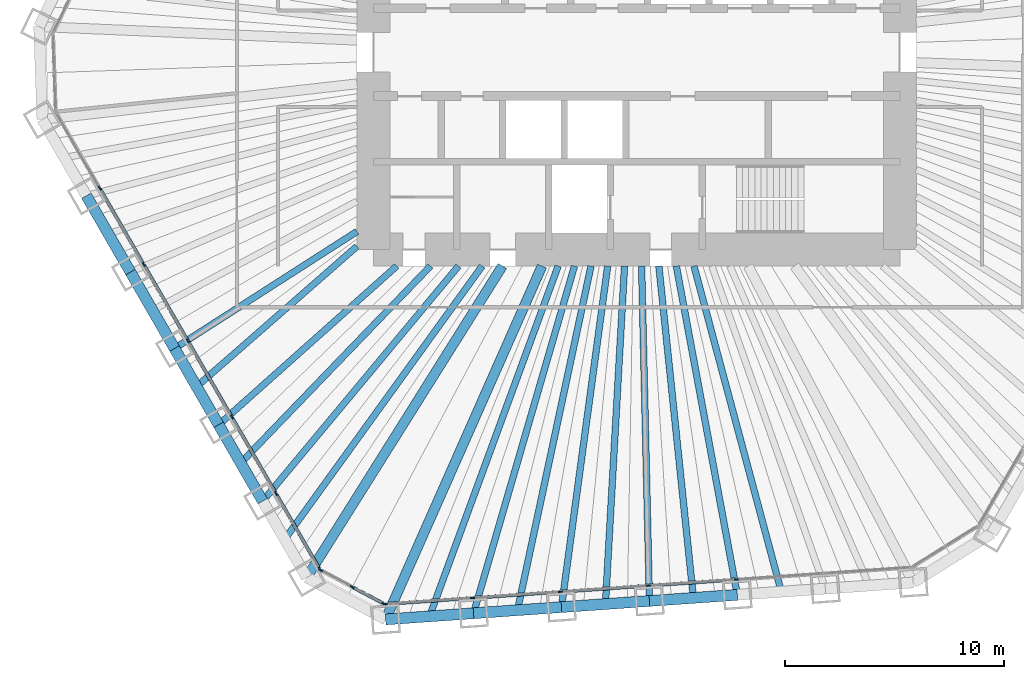
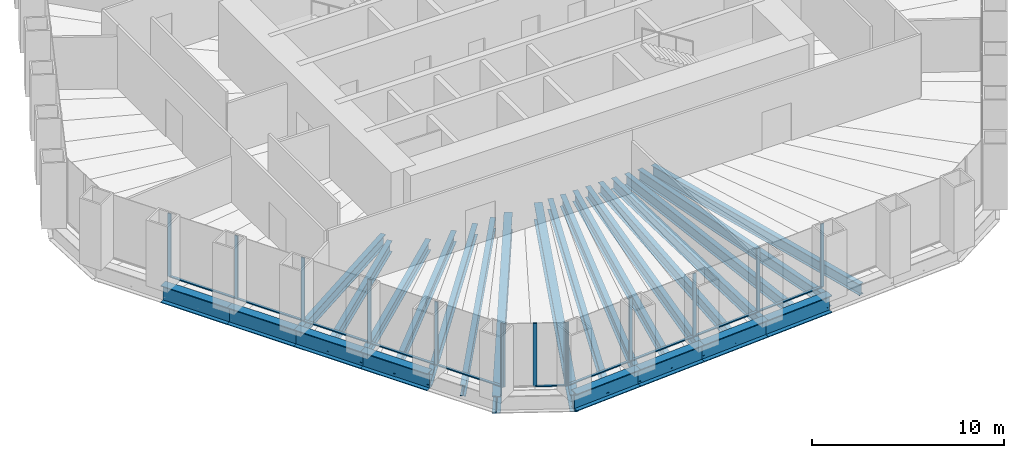
# One storey, part 2 of 13: 25 beams, 24 members, 3 elements without a shape of their own.
"""IFC4 building model written with IfcOpenShell, lengths in metres."""

import ifcopenshell
import ifcopenshell.guid

model = None  # the IFC model being written
_history = None  # IfcOwnerHistory: only IFC2X3 demands one
_inside = {}  # id of a spatial element -> (the spatial element, [elements in it])
_under = {}  # id of a project, library or spatial element -> (it, [spatial elements below it])
_declared = {}  # id of a project -> (the project, [libraries it declares])
_typed = {}  # id of a type object -> (the type object, [elements of that type])
_made_of = {}  # id of a material, layer set ... -> (it, [elements and type objects made of it])


def new_model(schema):
    """Start an empty IFC model of exactly this schema.

    Asked for "IFC4X3", IfcOpenShell would pick the latest addendum, in which some entities
    have other attributes; the version numbers below select the first issue.
    IFC2X3 requires an IfcOwnerHistory on every rooted entity: one is made here for all.
    """
    global model, _history
    if schema == "IFC4X3":
        model = ifcopenshell.file(schema_version=(4, 3, 0, 0))
    else:
        model = ifcopenshell.file(schema=schema)
    _inside.clear()
    _under.clear()
    _declared.clear()
    _typed.clear()
    _made_of.clear()
    _history = None
    if model.schema == "IFC2X3":
        org = make("IfcOrganization", Name="unknown")
        user = make(
            "IfcPersonAndOrganization",
            ThePerson=make("IfcPerson", FamilyName="unknown"),
            TheOrganization=org,
        )
        app = make(
            "IfcApplication",
            ApplicationDeveloper=org,
            Version="unknown",
            ApplicationFullName="unknown",
            ApplicationIdentifier="unknown",
        )
        _history = make(
            "IfcOwnerHistory",
            OwningUser=user,
            OwningApplication=app,
            ChangeAction="ADDED",
            CreationDate=0,
        )
    return model


def make(cls, **values):
    """One entity of the class cls with the attributes given. An attribute that is None is left unset."""
    return model.create_entity(
        cls, **{name: value for name, value in values.items() if value is not None}
    )


def rooted(cls, **values):
    """An entity with a GlobalId (a new one), such as an element, a storey or a relation."""
    return make(cls, GlobalId=ifcopenshell.guid.new(), OwnerHistory=_history, **values)


def si_unit(unit_type, name, prefix=None):
    """IfcSIUnit, for example si_unit("LENGTHUNIT", "METRE", prefix="MILLI")."""
    return make("IfcSIUnit", UnitType=unit_type, Prefix=prefix, Name=name)


def assignment(units):
    """IfcUnitAssignment: the units of a project."""
    return None if units is None else make("IfcUnitAssignment", Units=units)


def point(xyz):
    """IfcCartesianPoint."""
    return None if xyz is None else make("IfcCartesianPoint", Coordinates=xyz)


def direction(xyz):
    """IfcDirection."""
    return None if xyz is None else make("IfcDirection", DirectionRatios=xyz)


def frame(location, z_axis=None, x_axis=None):
    """IfcAxis2Placement3D, a coordinate frame: its origin and axes. An axis left out is left unset."""
    return make(
        "IfcAxis2Placement3D",
        Location=point(location),
        Axis=direction(z_axis),
        RefDirection=direction(x_axis),
    )


def frame_2d(location, x_axis=None):
    """IfcAxis2Placement2D, a coordinate frame in the plane: its origin and x axis."""
    return make(
        "IfcAxis2Placement2D", Location=point(location), RefDirection=direction(x_axis)
    )


def origin():
    """The frame at (0, 0, 0) with its axes left unset."""
    return frame((0.0, 0.0, 0.0))


def origin_2d():
    """The frame at (0, 0) in the plane with its x axis left unset."""
    return frame_2d((0.0, 0.0))


def place(relative_to, where):
    """IfcLocalPlacement: puts the frame where relative to a parent placement (None: the world)."""
    return make(
        "IfcLocalPlacement", PlacementRelTo=relative_to, RelativePlacement=where
    )


def context(
    kind, dimensions, precision=None, world=None, true_north=None, identifier=None
):
    """IfcGeometricRepresentationContext, for example the 3D "Model" context."""
    return make(
        "IfcGeometricRepresentationContext",
        ContextIdentifier=identifier,
        ContextType=kind,
        CoordinateSpaceDimension=dimensions,
        Precision=precision,
        WorldCoordinateSystem=world,
        TrueNorth=true_north,
    )


def subcontext(parent, identifier, kind, view, scale=None):
    """IfcGeometricRepresentationSubContext, for example "Body" below "Model"."""
    return make(
        "IfcGeometricRepresentationSubContext",
        ContextIdentifier=identifier,
        ContextType=kind,
        ParentContext=parent,
        TargetScale=scale,
        TargetView=view,
    )


def project(units=None, contexts=None):
    """IfcProject with its units and contexts."""
    return rooted(
        "IfcProject",
        Name="project",
        RepresentationContexts=contexts,
        UnitsInContext=assignment(units),
    )


def spatial(cls, under=None, at=None, **own):
    """A site, building, storey or space (cls), placed at a placement, below another one or the project."""
    s = rooted(cls, ObjectPlacement=at, **own)
    if under is not None:
        _under.setdefault(under.id(), (under, []))[1].append(s)
    return s


def profile(cls, at=None, kind="AREA", **sizes):
    """A parametric profile (cls). Its sizes go by their IFC names, for example OverallWidth=200.0."""
    return make(cls, ProfileType=kind, Position=at, **sizes)


def rectangle(**sizes):
    """IfcRectangleProfileDef."""
    return profile("IfcRectangleProfileDef", **sizes)


def i_section(**sizes):
    """IfcIShapeProfileDef."""
    return profile("IfcIShapeProfileDef", **sizes)


def extrude(swept, where, along, depth):
    """IfcExtrudedAreaSolid: the profile swept, set in the frame where, extruded along a direction by depth."""
    return make(
        "IfcExtrudedAreaSolid",
        SweptArea=swept,
        Position=where,
        ExtrudedDirection=direction(along),
        Depth=depth,
    )


def shape(context_of_items, identifier, shape_type, items):
    """IfcShapeRepresentation: the items that make up one representation, for example the "Body"."""
    return make(
        "IfcShapeRepresentation",
        ContextOfItems=context_of_items,
        RepresentationIdentifier=identifier,
        RepresentationType=shape_type,
        Items=items,
    )


def material(Name=None, Category=None):
    """IfcMaterial."""
    return make("IfcMaterial", Name=Name, Category=Category)


def material_profile(
    of_material, cross_section, Name=None, Category=None, Priority=None
):
    """IfcMaterialProfile: a cross section and its material."""
    return make(
        "IfcMaterialProfile",
        Name=Name,
        Material=of_material,
        Profile=cross_section,
        Priority=Priority,
        Category=Category,
    )


def profile_set(profiles, Name=None, composite=None):
    """IfcMaterialProfileSet."""
    return make(
        "IfcMaterialProfileSet",
        Name=Name,
        MaterialProfiles=profiles,
        CompositeProfile=composite,
    )


def made_of(thing, what):
    """Note that an element or type object is made of a material, layer set ...; save() writes the relation."""
    if what is not None:
        _made_of.setdefault(what.id(), (what, []))[1].append(thing)
    return thing


def type_object(cls, material=None, **own):
    """A type object (cls), such as IfcWallType, which elements share."""
    return made_of(rooted(cls, **own), material)


def element(
    cls,
    number,
    at=None,
    inside=None,
    cuts=None,
    type_object=None,
    material=None,
    context=None,
    identifier="Body",
    shape_type=None,
    held_by="IfcProductDefinitionShape",
    body=None,
    shapes=None,
    **own,
):
    """One element of the class cls, such as IfcWall. Its Tag is "e" and its number.

    at: its placement. inside: the storey or other place that contains it. cuts: it is an
    opening in that element (IfcRelVoidsElement). A single representation is given by context,
    identifier, shape_type and body (its items); several are given by shapes. held_by: the class
    of the entity that holds the representations. save() writes the other relations.
    """
    e = rooted(cls, Tag="e%d" % number, ObjectPlacement=at, **own)
    if body is not None:
        shapes = [shape(context, identifier, shape_type, body)]
    if shapes is not None:
        e.Representation = make(held_by, Representations=shapes)
    if inside is not None:
        _inside.setdefault(inside.id(), (inside, []))[1].append(e)
    if cuts is not None:
        rooted(
            "IfcRelVoidsElement", RelatingBuildingElement=cuts, RelatedOpeningElement=e
        )
    if type_object is not None:
        _typed.setdefault(type_object.id(), (type_object, []))[1].append(e)
    return made_of(e, material)


def aggregate(whole, parts):
    """IfcRelAggregates: a whole, such as a stair, and the parts it consists of."""
    return rooted("IfcRelAggregates", RelatingObject=whole, RelatedObjects=parts)


def save(model, path):
    """Write the relations noted so far, then the file.

    IfcRelAggregates (storeys below a building ...), IfcRelContainedInSpatialStructure (elements
    in a storey), IfcRelDefinesByType, IfcRelAssociatesMaterial and IfcRelDeclares: one each for
    every whole, place, type object, material and project.
    """
    for whole, parts in _under.values():
        aggregate(whole, parts)
    for where, things in _inside.values():
        rooted(
            "IfcRelContainedInSpatialStructure",
            RelatedElements=things,
            RelatingStructure=where,
        )
    for kind, things in _typed.values():
        rooted("IfcRelDefinesByType", RelatedObjects=things, RelatingType=kind)
    for what, things in _made_of.values():
        rooted("IfcRelAssociatesMaterial", RelatedObjects=things, RelatingMaterial=what)
    for by, libraries in _declared.values():
        rooted("IfcRelDeclares", RelatingContext=by, RelatedDefinitions=libraries)
    model.write(path)


model = new_model("IFC4")

# Units and contexts
model_context = context("Model", 3, precision=1e-05, world=origin(), true_north=direction((0.0, 1.0)))
body_context = subcontext(model_context, "Body", "Model", "MODEL_VIEW")
ifc_project = project(units=[si_unit("LENGTHUNIT", "METRE"), si_unit("AREAUNIT", "SQUARE_METRE"), si_unit("VOLUMEUNIT", "CUBIC_METRE"), si_unit("PLANEANGLEUNIT", "RADIAN"), si_unit("MASSUNIT", "GRAM", prefix="KILO")], contexts=[model_context])

# Site, building, storey
site_placement = place(None, origin())
site = spatial("IfcSite", under=ifc_project, at=site_placement, CompositionType="ELEMENT")
building_placement = place(site_placement, origin())
building = spatial("IfcBuilding", under=site, at=building_placement, Name="Qingtian Harvest Tower", CompositionType="ELEMENT")
storey_placement = place(building_placement, frame((0.0, 0.0, 145.0)))
storey = spatial("IfcBuildingStorey", under=building, at=storey_placement, Name="L30", CompositionType="ELEMENT", Elevation=145.0)

# Beams
ifc_material_1 = material(Name="Steel SM570MC", Category="steel")
ifc_material_profile_1 = material_profile(ifc_material_1, i_section(OverallWidth=0.449951171875, OverallDepth=1.10009765625, WebThickness=0.02197265625, FlangeThickness=0.044921875, at=origin_2d()), Name="H1100x450x22x45")
ifc_profile_set_1 = profile_set([ifc_material_profile_1], Name="Steel SM570MC")
beam_type_1 = type_object("IfcBeamType", Name="Corner floor beam FB8 H1100x450x22x45", PredefinedType="BEAM", material=ifc_profile_set_1)
beam_1_placement = place(storey_placement, frame((-11.445556640625, -25.861328125, -0.719970703125), z_axis=(0.404705702755, 0.914446988161, 0.0), x_axis=(-0.914446988161, 0.404705702755, 0.0)))
element("IfcBeam", 1, at=beam_1_placement, inside=storey, type_object=beam_type_1, Name="Floor beam FB8 S6", PredefinedType="BEAM", context=body_context, shape_type="SweptSolid", body=[
    extrude(i_section(OverallWidth=0.449951171875, OverallDepth=1.10009765625, WebThickness=0.02197265625, FlangeThickness=0.044921875, at=origin_2d()), origin(), (0.0, 0.0, 1.0), 17.61865234375),
])
beam_2_placement = place(storey_placement, frame((-15.039794921875, -23.950439453125, -0.719970703125), z_axis=(0.531797274443, 0.846871689747, 0.0), x_axis=(-0.846871689747, 0.531797274443, 0.0)))
element("IfcBeam", 2, at=beam_2_placement, inside=storey, type_object=beam_type_1, Name="Floor beam FB8 SW0", PredefinedType="BEAM", context=body_context, shape_type="SweptSolid", body=[
    extrude(i_section(OverallWidth=0.449951171875, OverallDepth=1.10009765625, WebThickness=0.02197265625, FlangeThickness=0.044921875, at=origin_2d()), origin(), (0.0, 0.0, 1.0), 16.76806640625),
])
ifc_material_2 = material(Name="Steel SN490B", Category="steel")
ifc_material_profile_2 = material_profile(ifc_material_2, i_section(OverallWidth=0.300048828125, OverallDepth=0.75, WebThickness=0.013916015625, FlangeThickness=0.02490234375, at=origin_2d()), Name="H750x300x14x25")
ifc_profile_set_2 = profile_set([ifc_material_profile_2], Name="Steel SN490B")
beam_type_2 = type_object("IfcBeamType", Name="Floor beam FB12 H750x300x14x25", PredefinedType="BEAM", material=ifc_profile_set_2)
beam_3_placement = place(storey_placement, frame((-7.436279296875, -25.5810546875, -0.544921875), z_axis=(0.279142362954, 0.960249728562, 0.0), x_axis=(-0.960249728562, 0.279142362954, 0.0)))
element("IfcBeam", 3, at=beam_3_placement, inside=storey, type_object=beam_type_2, Name="Floor beam FB12 S5", PredefinedType="BEAM", context=body_context, shape_type="SweptSolid", body=[
    extrude(i_section(OverallWidth=0.300048828125, OverallDepth=0.75, WebThickness=0.013916015625, FlangeThickness=0.02490234375, at=origin_2d()), origin(), (0.0, 0.0, 1.0), 16.486328125),
])
ifc_material_3 = material(Name="Steel SN490B", Category="steel")
ifc_material_profile_3 = material_profile(ifc_material_3, i_section(OverallWidth=0.300048828125, OverallDepth=0.699951171875, WebThickness=0.012939453125, FlangeThickness=0.02392578125, at=origin_2d()), Name="H700x300x13x24")
ifc_profile_set_3 = profile_set([ifc_material_profile_3], Name="Steel SN490B")
beam_type_3 = type_object("IfcBeamType", Name="Floor beam FB2 H700x300x13x24", PredefinedType="BEAM", material=ifc_profile_set_3)
beam_4_placement = place(storey_placement, frame((4.591552734375, -24.739990234375, -0.52001953125), z_axis=(-0.182473442032, 0.983210782565, 0.0), x_axis=(-0.983210782565, -0.182473442032, 0.0)))
element("IfcBeam", 4, at=beam_4_placement, inside=storey, type_object=beam_type_3, Name="Floor beam FB2 S2", PredefinedType="BEAM", context=body_context, shape_type="SweptSolid", body=[
    extrude(i_section(OverallWidth=0.300048828125, OverallDepth=0.699951171875, WebThickness=0.012939453125, FlangeThickness=0.02392578125, at=origin_2d()), origin(), (0.0, 0.0, 1.0), 15.245849609375),
])
beam_5_placement = place(storey_placement, frame((0.582275390625, -25.020263671875, -0.52001953125), z_axis=(-0.023272189962, 0.999729165912, 0.0), x_axis=(-0.999729165912, -0.023272189962, 0.0)))
element("IfcBeam", 5, at=beam_5_placement, inside=storey, type_object=beam_type_3, Name="Floor beam FB2 S3", PredefinedType="BEAM", context=body_context, shape_type="SweptSolid", body=[
    extrude(i_section(OverallWidth=0.300048828125, OverallDepth=0.699951171875, WebThickness=0.012939453125, FlangeThickness=0.02392578125, at=origin_2d()), origin(), (0.0, 0.0, 1.0), 15.2744140625),
])
beam_6_placement = place(storey_placement, frame((-3.427001953125, -25.30078125, -0.52001953125), z_axis=(0.134230066005, 0.990950195207, 0.0), x_axis=(-0.990950195207, 0.134230066005, 0.0)))
element("IfcBeam", 6, at=beam_6_placement, inside=storey, type_object=beam_type_3, Name="Floor beam FB2 S4", PredefinedType="BEAM", context=body_context, shape_type="SweptSolid", body=[
    extrude(i_section(OverallWidth=0.300048828125, OverallDepth=0.699951171875, WebThickness=0.012939453125, FlangeThickness=0.02392578125, at=origin_2d()), origin(), (0.0, 0.0, 1.0), 15.69287109375),
])
beam_7_placement = place(storey_placement, frame((-17.04931640625, -20.4697265625, -0.52001953125), z_axis=(0.639988150605, 0.768384778015, 0.0), x_axis=(-0.768384778015, 0.639988150605, 0.0)))
element("IfcBeam", 7, at=beam_7_placement, inside=storey, type_object=beam_type_3, Name="Floor beam FB2 SW1", PredefinedType="BEAM", context=body_context, shape_type="SweptSolid", body=[
    extrude(i_section(OverallWidth=0.300048828125, OverallDepth=0.699951171875, WebThickness=0.012939453125, FlangeThickness=0.02392578125, at=origin_2d()), origin(), (0.0, 0.0, 1.0), 13.950927734375),
])
beam_8_placement = place(storey_placement, frame((-19.058837890625, -16.989013671875, -0.52001953125), z_axis=(0.746483707908, 0.665403692376, 0.0), x_axis=(-0.665403692376, 0.746483707908, 0.0)))
element("IfcBeam", 8, at=beam_8_placement, inside=storey, type_object=beam_type_3, Name="Floor beam FB2 SW2", PredefinedType="BEAM", context=body_context, shape_type="SweptSolid", body=[
    extrude(i_section(OverallWidth=0.300048828125, OverallDepth=0.699951171875, WebThickness=0.012939453125, FlangeThickness=0.02392578125, at=origin_2d()), origin(), (0.0, 0.0, 1.0), 10.879150390625),
])
beam_9_placement = place(storey_placement, frame((-21.068359375, -13.508544921875, -0.52001953125), z_axis=(0.841823295753, 0.539753220211, 0.0), x_axis=(-0.539753220211, 0.841823295753, 0.0)))
element("IfcBeam", 9, at=beam_9_placement, inside=storey, type_object=beam_type_3, Name="Floor beam FB2 SW3", PredefinedType="BEAM", context=body_context, shape_type="SweptSolid", body=[
    extrude(i_section(OverallWidth=0.300048828125, OverallDepth=0.699951171875, WebThickness=0.012939453125, FlangeThickness=0.02392578125, at=origin_2d()), origin(), (0.0, 0.0, 1.0), 9.88134765625),
])
ifc_material_4 = material(Name="Steel SN490B", Category="steel")
ifc_material_profile_4 = material_profile(ifc_material_4, i_section(OverallWidth=0.300048828125, OverallDepth=0.699951171875, WebThickness=0.012939453125, FlangeThickness=0.02392578125, at=origin_2d()), Name="H700x300x13x24")
ifc_profile_set_4 = profile_set([ifc_material_profile_4], Name="Steel SN490B")
beam_type_4 = type_object("IfcBeamType", Name="Floor joist J2 H700x300x13x24", PredefinedType="JOIST", material=ifc_profile_set_4)
beam_10_placement = place(storey_placement, frame((6.59619140625, -24.599853515625, -0.52001953125), z_axis=(-0.258996688759, 0.965878209306, 0.0), x_axis=(-0.965878209306, -0.258996688759, 0.0)))
element("IfcBeam", 10, at=beam_10_placement, inside=storey, type_object=beam_type_4, Name="Floor joist J2 S1", PredefinedType="JOIST", context=body_context, shape_type="SweptSolid", body=[
    extrude(i_section(OverallWidth=0.300048828125, OverallDepth=0.699951171875, WebThickness=0.012939453125, FlangeThickness=0.02392578125, at=origin_2d()), origin(), (0.0, 0.0, 1.0), 15.37451171875),
])
beam_11_placement = place(storey_placement, frame((2.5869140625, -24.880126953125, -0.52001953125), z_axis=(-0.103423163361, 0.994637446148, 0.0), x_axis=(-0.994637446148, -0.103423163361, 0.0)))
element("IfcBeam", 11, at=beam_11_placement, inside=storey, type_object=beam_type_4, Name="Floor joist J2 S2", PredefinedType="JOIST", context=body_context, shape_type="SweptSolid", body=[
    extrude(i_section(OverallWidth=0.300048828125, OverallDepth=0.699951171875, WebThickness=0.012939453125, FlangeThickness=0.02392578125, at=origin_2d()), origin(), (0.0, 0.0, 1.0), 15.211669921875),
])
beam_12_placement = place(storey_placement, frame((-1.42236328125, -25.160400390625, -0.52001953125), z_axis=(0.05643626267, 0.998406204035, 0.0), x_axis=(-0.998406204035, 0.05643626267, 0.0)))
element("IfcBeam", 12, at=beam_12_placement, inside=storey, type_object=beam_type_4, Name="Floor joist J2 S3", PredefinedType="JOIST", context=body_context, shape_type="SweptSolid", body=[
    extrude(i_section(OverallWidth=0.300048828125, OverallDepth=0.699951171875, WebThickness=0.012939453125, FlangeThickness=0.02392578125, at=origin_2d()), origin(), (0.0, 0.0, 1.0), 15.43505859375),
])
beam_13_placement = place(storey_placement, frame((-5.431640625, -25.44091796875, -0.52001953125), z_axis=(0.208799533611, 0.977958462699, 0.0), x_axis=(-0.977958462699, 0.208799533611, 0.0)))
element("IfcBeam", 13, at=beam_13_placement, inside=storey, type_object=beam_type_4, Name="Floor joist J2 S4", PredefinedType="JOIST", context=body_context, shape_type="SweptSolid", body=[
    extrude(i_section(OverallWidth=0.300048828125, OverallDepth=0.699951171875, WebThickness=0.012939453125, FlangeThickness=0.02392578125, at=origin_2d()), origin(), (0.0, 0.0, 1.0), 16.044677734375),
])
beam_14_placement = place(storey_placement, frame((-9.44091796875, -25.72119140625, -0.52001953125), z_axis=(0.344563279886, 0.938763093732, 0.0), x_axis=(-0.938763093732, 0.344563279886, 0.0)))
element("IfcBeam", 14, at=beam_14_placement, inside=storey, type_object=beam_type_4, Name="Floor joist J2 S5", PredefinedType="JOIST", context=body_context, shape_type="SweptSolid", body=[
    extrude(i_section(OverallWidth=0.300048828125, OverallDepth=0.699951171875, WebThickness=0.012939453125, FlangeThickness=0.02392578125, at=origin_2d()), origin(), (0.0, 0.0, 1.0), 17.012939453125),
])
beam_15_placement = place(storey_placement, frame((-16.04443359375, -22.2099609375, -0.52001953125), z_axis=(0.585581016658, 0.810613886465, 0.0), x_axis=(-0.810613886465, 0.585581016658, 0.0)))
element("IfcBeam", 15, at=beam_15_placement, inside=storey, type_object=beam_type_4, Name="Floor joist J2 SW0", PredefinedType="JOIST", context=body_context, shape_type="SweptSolid", body=[
    extrude(i_section(OverallWidth=0.300048828125, OverallDepth=0.699951171875, WebThickness=0.012939453125, FlangeThickness=0.02392578125, at=origin_2d()), origin(), (0.0, 0.0, 1.0), 15.37109375),
])
beam_16_placement = place(storey_placement, frame((-18.053955078125, -18.7294921875, -0.52001953125), z_axis=(0.693999346894, 0.719975629108, 0.0), x_axis=(-0.719975629108, 0.693999346894, 0.0)))
element("IfcBeam", 16, at=beam_16_placement, inside=storey, type_object=beam_type_4, Name="Floor joist J2 SW1", PredefinedType="JOIST", context=body_context, shape_type="SweptSolid", body=[
    extrude(i_section(OverallWidth=0.300048828125, OverallDepth=0.699951171875, WebThickness=0.012939453125, FlangeThickness=0.02392578125, at=origin_2d()), origin(), (0.0, 0.0, 1.0), 12.471923828125),
])
beam_17_placement = place(storey_placement, frame((-20.063720703125, -15.248779296875, -0.52001953125), z_axis=(0.752618713562, 0.658456583228, 0.0), x_axis=(-0.658456583228, 0.752618713562, 0.0)))
element("IfcBeam", 17, at=beam_17_placement, inside=storey, type_object=beam_type_4, Name="Floor joist J2 SW2", PredefinedType="JOIST", context=body_context, shape_type="SweptSolid", body=[
    extrude(i_section(OverallWidth=0.300048828125, OverallDepth=0.699951171875, WebThickness=0.012939453125, FlangeThickness=0.02392578125, at=origin_2d()), origin(), (0.0, 0.0, 1.0), 9.7177734375),
])

# Curtain wall, members
ifc_material_5 = material(Name="Bronze-anodised aluminium curtain wall", Category="aluminium")
curtain_wall_type = type_object("IfcCurtainWallType", Name="Curtain wall CW4 office", PredefinedType="USERDEFINED", material=ifc_material_5)
curtain_wall_1_placement = place(storey_placement, origin())
curtain_wall_1 = element("IfcCurtainWall", 18, at=curtain_wall_1_placement, inside=storey, type_object=curtain_wall_type, Name="Curtain wall CW4 L30 S0-5", ObjectType="RECESSED CURTAIN WALL", PredefinedType="USERDEFINED")
ifc_material_6 = material(Name="Bronze-anodised aluminium mullion", Category="aluminium")
ifc_material_profile_5 = material_profile(ifc_material_6, rectangle(XDim=0.06494140625, YDim=0.199951171875, at=origin_2d()), Name="AL 65x200")
ifc_profile_set_5 = profile_set([ifc_material_profile_5], Name="Bronze-anodised aluminium mullion")
member_type_1 = type_object("IfcMemberType", Name="Mullion CWM 65x200", PredefinedType="MULLION", material=ifc_profile_set_5)
member_1_placement = place(storey_placement, frame((4.542724609375, -24.041748046875, 0.0), z_axis=(0.0, 0.0, 1.0), x_axis=(0.069756473744, -0.99756405026, 0.0)))
member_1 = element("IfcMember", 19, at=member_1_placement, type_object=member_type_1, Name="CW4 mullion 3", PredefinedType="MULLION", context=body_context, shape_type="SweptSolid", body=[
    extrude(rectangle(XDim=0.06494140625, YDim=0.199951171875, at=origin_2d()), origin(), (0.0, 0.0, 1.0), 4.030029296875),
])
member_2_placement = place(storey_placement, frame((0.533447265625, -24.322021484375, 0.0), z_axis=(0.0, 0.0, 1.0), x_axis=(0.069756473744, -0.99756405026, 0.0)))
member_2 = element("IfcMember", 20, at=member_2_placement, type_object=member_type_1, Name="CW4 mullion 4", PredefinedType="MULLION", context=body_context, shape_type="SweptSolid", body=[
    extrude(rectangle(XDim=0.06494140625, YDim=0.199951171875, at=origin_2d()), origin(), (0.0, 0.0, 1.0), 4.030029296875),
])
member_3_placement = place(storey_placement, frame((-3.475830078125, -24.602294921875, 0.0), z_axis=(0.0, 0.0, 1.0), x_axis=(0.069756473744, -0.99756405026, 0.0)))
member_3 = element("IfcMember", 21, at=member_3_placement, type_object=member_type_1, Name="CW4 mullion 5", PredefinedType="MULLION", context=body_context, shape_type="SweptSolid", body=[
    extrude(rectangle(XDim=0.06494140625, YDim=0.199951171875, at=origin_2d()), origin(), (0.0, 0.0, 1.0), 4.030029296875),
])
member_4_placement = place(storey_placement, frame((-7.485107421875, -24.8828125, 0.0), z_axis=(0.0, 0.0, 1.0), x_axis=(0.069756473744, -0.99756405026, 0.0)))
member_4 = element("IfcMember", 22, at=member_4_placement, type_object=member_type_1, Name="CW4 mullion 6", PredefinedType="MULLION", context=body_context, shape_type="SweptSolid", body=[
    extrude(rectangle(XDim=0.06494140625, YDim=0.199951171875, at=origin_2d()), origin(), (0.0, 0.0, 1.0), 4.030029296875),
])
member_5_placement = place(storey_placement, frame((-11.4619140625, -25.160888671875, 0.0), z_axis=(0.0, 0.0, 1.0), x_axis=(0.069756473744, -0.99756405026, 0.0)))
member_5 = element("IfcMember", 23, at=member_5_placement, type_object=member_type_1, Name="CW4 mullion 7", PredefinedType="MULLION", context=body_context, shape_type="SweptSolid", body=[
    extrude(rectangle(XDim=0.06494140625, YDim=0.199951171875, at=origin_2d()), origin(), (0.0, 0.0, 1.0), 4.030029296875),
])

curtain_wall_2_placement = place(storey_placement, origin())
curtain_wall_2 = element("IfcCurtainWall", 24, at=curtain_wall_2_placement, inside=storey, type_object=curtain_wall_type, Name="Curtain wall CW4 L30 SC", ObjectType="RECESSED CURTAIN WALL", PredefinedType="USERDEFINED")
member_6_placement = place(storey_placement, frame((-11.523193359375, -25.14794921875, 0.0), z_axis=(0.0, 0.0, 1.0), x_axis=(-0.469471562786, -0.882947592859, 0.0)))
member_6 = element("IfcMember", 25, at=member_6_placement, type_object=member_type_1, Name="CW4 mullion 1", PredefinedType="MULLION", context=body_context, shape_type="SweptSolid", body=[
    extrude(rectangle(XDim=0.06494140625, YDim=0.199951171875, at=origin_2d()), origin(), (0.0, 0.0, 1.0), 4.030029296875),
])
member_7_placement = place(storey_placement, frame((-12.964111328125, -24.3818359375, 0.0), z_axis=(0.0, 0.0, 1.0), x_axis=(-0.469471562786, -0.882947592859, 0.0)))
member_7 = element("IfcMember", 26, at=member_7_placement, type_object=member_type_1, Name="CW4 mullion 2", PredefinedType="MULLION", context=body_context, shape_type="SweptSolid", body=[
    extrude(rectangle(XDim=0.06494140625, YDim=0.199951171875, at=origin_2d()), origin(), (0.0, 0.0, 1.0), 4.030029296875),
])
member_8_placement = place(storey_placement, frame((-14.40478515625, -23.61572265625, 0.0), z_axis=(0.0, 0.0, 1.0), x_axis=(-0.469471562786, -0.882947592859, 0.0)))
member_8 = element("IfcMember", 27, at=member_8_placement, type_object=member_type_1, Name="CW4 mullion 3", PredefinedType="MULLION", context=body_context, shape_type="SweptSolid", body=[
    extrude(rectangle(XDim=0.06494140625, YDim=0.199951171875, at=origin_2d()), origin(), (0.0, 0.0, 1.0), 4.030029296875),
])

curtain_wall_3_placement = place(storey_placement, origin())
curtain_wall_3 = element("IfcCurtainWall", 28, at=curtain_wall_3_placement, inside=storey, type_object=curtain_wall_type, Name="Curtain wall CW4 L30 SW0-5", ObjectType="RECESSED CURTAIN WALL", PredefinedType="USERDEFINED")
member_9_placement = place(storey_placement, frame((-14.44970703125, -23.572265625, 0.0), z_axis=(0.0, 0.0, 1.0), x_axis=(-0.866025403784, -0.5, 0.0)))
member_9 = element("IfcMember", 29, at=member_9_placement, type_object=member_type_1, Name="CW4 mullion 1", PredefinedType="MULLION", context=body_context, shape_type="SweptSolid", body=[
    extrude(rectangle(XDim=0.06494140625, YDim=0.199951171875, at=origin_2d()), origin(), (0.0, 0.0, 1.0), 4.030029296875),
])
member_10_placement = place(storey_placement, frame((-16.443115234375, -20.11962890625, 0.0), z_axis=(0.0, 0.0, 1.0), x_axis=(-0.866025403784, -0.5, 0.0)))
member_10 = element("IfcMember", 30, at=member_10_placement, type_object=member_type_1, Name="CW4 mullion 2", PredefinedType="MULLION", context=body_context, shape_type="SweptSolid", body=[
    extrude(rectangle(XDim=0.06494140625, YDim=0.199951171875, at=origin_2d()), origin(), (0.0, 0.0, 1.0), 4.030029296875),
])
member_11_placement = place(storey_placement, frame((-18.45263671875, -16.63916015625, 0.0), z_axis=(0.0, 0.0, 1.0), x_axis=(-0.866025403784, -0.5, 0.0)))
member_11 = element("IfcMember", 31, at=member_11_placement, type_object=member_type_1, Name="CW4 mullion 3", PredefinedType="MULLION", context=body_context, shape_type="SweptSolid", body=[
    extrude(rectangle(XDim=0.06494140625, YDim=0.199951171875, at=origin_2d()), origin(), (0.0, 0.0, 1.0), 4.030029296875),
])
member_12_placement = place(storey_placement, frame((-20.462158203125, -13.158447265625, 0.0), z_axis=(0.0, 0.0, 1.0), x_axis=(-0.866025403784, -0.5, 0.0)))
member_12 = element("IfcMember", 32, at=member_12_placement, type_object=member_type_1, Name="CW4 mullion 4", PredefinedType="MULLION", context=body_context, shape_type="SweptSolid", body=[
    extrude(rectangle(XDim=0.06494140625, YDim=0.199951171875, at=origin_2d()), origin(), (0.0, 0.0, 1.0), 4.030029296875),
])
member_13_placement = place(storey_placement, frame((-22.4716796875, -9.677978515625, 0.0), z_axis=(0.0, 0.0, 1.0), x_axis=(-0.866025403784, -0.5, 0.0)))
member_13 = element("IfcMember", 33, at=member_13_placement, type_object=member_type_1, Name="CW4 mullion 5", PredefinedType="MULLION", context=body_context, shape_type="SweptSolid", body=[
    extrude(rectangle(XDim=0.06494140625, YDim=0.199951171875, at=origin_2d()), origin(), (0.0, 0.0, 1.0), 4.030029296875),
])
member_14_placement = place(storey_placement, frame((-24.481201171875, -6.197265625, 0.0), z_axis=(0.0, 0.0, 1.0), x_axis=(-0.866025403784, -0.5, 0.0)))
member_14 = element("IfcMember", 34, at=member_14_placement, type_object=member_type_1, Name="CW4 mullion 6", PredefinedType="MULLION", context=body_context, shape_type="SweptSolid", body=[
    extrude(rectangle(XDim=0.06494140625, YDim=0.199951171875, at=origin_2d()), origin(), (0.0, 0.0, 1.0), 4.030029296875),
])

# Beams
ifc_material_7 = material(Name="Steel SM570MC", Category="steel")
ifc_material_profile_6 = material_profile(ifc_material_7, i_section(OverallWidth=0.5, OverallDepth=1.10009765625, WebThickness=0.02490234375, FlangeThickness=0.050048828125, at=origin_2d()), Name="H1100x500x25x50")
ifc_profile_set_6 = profile_set([ifc_material_profile_6], Name="Steel SM570MC")
beam_type_5 = type_object("IfcBeamType", Name="Spandrel beam SB2 H1100x500x25x50", PredefinedType="SPANDREL", material=ifc_profile_set_6)
for number, where, z_axis, x_axis, name in (
    (35, (4.591552734375, -24.739990234375, -0.550048828125), (-0.997565479251, -0.069736035208, 0.0), (0.069736035208, -0.997565479251, 0.0), "Spandrel SB2 S2"),
    (36, (0.582275390625, -25.020263671875, -0.550048828125), (-0.997561251588, -0.069796485086, 0.0), (0.069796485086, -0.997561251588, 0.0), "Spandrel SB2 S3"),
    (37, (-3.427001953125, -25.30078125, -0.550048828125), (-0.997565479251, -0.069736035208, 0.0), (0.069736035208, -0.997565479251, 0.0), "Spandrel SB2 S4"),
    (38, (-7.436279296875, -25.5810546875, -0.550048828125), (-0.997565479251, -0.069736035208, 0.0), (0.069736035208, -0.997565479251, 0.0), "Spandrel SB2 S5"),
    (39, (-17.04931640625, -20.4697265625, -0.550048828125), (-0.499987116613, 0.866032841884, 0.0), (-0.866032841884, -0.499987116613, 0.0), "Spandrel SB2 SW1"),
    (40, (-19.058837890625, -16.989013671875, -0.550048828125), (-0.500013420409, 0.866017655369, 0.0), (-0.866017655369, -0.500013420409, 0.0), "Spandrel SB2 SW2"),
    (41, (-21.068359375, -13.508544921875, -0.550048828125), (-0.499987116613, 0.866032841884, 0.0), (-0.866032841884, -0.499987116613, 0.0), "Spandrel SB2 SW3"),
    (42, (-23.077880859375, -10.02783203125, -0.550048828125), (-0.499987116613, 0.866032841884, 0.0), (-0.866032841884, -0.499987116613, 0.0), "Spandrel SB2 SW4"),
):
    element("IfcBeam", number, at=place(storey_placement, frame(where, z_axis=z_axis, x_axis=x_axis)), inside=storey, type_object=beam_type_5, Name=name, PredefinedType="SPANDREL", context=body_context, shape_type="SweptSolid", body=[
        extrude(i_section(OverallWidth=0.5, OverallDepth=1.10009765625, WebThickness=0.02490234375, FlangeThickness=0.050048828125, at=origin_2d()), origin(), (0.0, 0.0, 1.0), 4.01904296875),
    ])

# Member
ifc_material_8 = material(Name="Bronze-anodised aluminium transom", Category="aluminium")
ifc_material_profile_7 = material_profile(ifc_material_8, rectangle(XDim=0.14990234375, YDim=0.06494140625, at=origin_2d()), Name="AL 65x150")
ifc_profile_set_7 = profile_set([ifc_material_profile_7], Name="Bronze-anodised aluminium transom")
member_type_2 = type_object("IfcMemberType", Name="Transom CWT 65x150", PredefinedType="USERDEFINED", material=ifc_profile_set_7)
member_15_placement = place(storey_placement, frame((4.51025390625, -24.0439453125, 0.032470703125), z_axis=(-0.997562922571, -0.069772598571, 0.0), x_axis=(0.069772598571, -0.997562922571, 0.0)))
member_15 = element("IfcMember", 43, at=member_15_placement, type_object=member_type_2, Name="CW4 transom 3.1", ObjectType="TRANSOM", PredefinedType="USERDEFINED", context=body_context, shape_type="SweptSolid", body=[
    extrude(rectangle(XDim=0.14990234375, YDim=0.06494140625, at=origin_2d()), origin(), (0.0, 0.0, 1.0), 3.953857421875),
])

member_16_placement = place(storey_placement, frame((0.5009765625, -24.32421875, 0.032470703125), z_axis=(-0.997562922571, -0.069772598571, 0.0), x_axis=(0.069772598571, -0.997562922571, 0.0)))
member_16 = element("IfcMember", 44, at=member_16_placement, type_object=member_type_2, Name="CW4 transom 4.1", ObjectType="TRANSOM", PredefinedType="USERDEFINED", context=body_context, shape_type="SweptSolid", body=[
    extrude(rectangle(XDim=0.14990234375, YDim=0.06494140625, at=origin_2d()), origin(), (0.0, 0.0, 1.0), 3.953857421875),
])

member_17_placement = place(storey_placement, frame((-3.50830078125, -24.604736328125, 0.032470703125), z_axis=(-0.997567218353, -0.069711153102, 0.0), x_axis=(0.069711153102, -0.997567218353, 0.0)))
member_17 = element("IfcMember", 45, at=member_17_placement, type_object=member_type_2, Name="CW4 transom 5.1", ObjectType="TRANSOM", PredefinedType="USERDEFINED", context=body_context, shape_type="SweptSolid", body=[
    extrude(rectangle(XDim=0.14990234375, YDim=0.06494140625, at=origin_2d()), origin(), (0.0, 0.0, 1.0), 3.953857421875),
])

member_18_placement = place(storey_placement, frame((-7.517578125, -24.885009765625, 0.032470703125), z_axis=(-0.997561915105, -0.069787001175, 0.0), x_axis=(0.069787001175, -0.997561915105, 0.0)))
member_18 = element("IfcMember", 46, at=member_18_placement, type_object=member_type_2, Name="CW4 transom 6.1", ObjectType="TRANSOM", PredefinedType="USERDEFINED", context=body_context, shape_type="SweptSolid", body=[
    extrude(rectangle(XDim=0.14990234375, YDim=0.06494140625, at=origin_2d()), origin(), (0.0, 0.0, 1.0), 3.921630859375),
])

aggregate(curtain_wall_1, [member_1, member_2, member_3, member_4, member_5, member_15, member_16, member_17, member_18])

member_19_placement = place(storey_placement, frame((-11.5517578125, -25.132568359375, 0.032470703125), z_axis=(-0.882960338349, 0.46944759122, 0.0), x_axis=(-0.46944759122, -0.882960338349, 0.0)))
member_19 = element("IfcMember", 47, at=member_19_placement, type_object=member_type_2, Name="CW4 transom 1.1", ObjectType="TRANSOM", PredefinedType="USERDEFINED", context=body_context, shape_type="SweptSolid", body=[
    extrude(rectangle(XDim=0.14990234375, YDim=0.06494140625, at=origin_2d()), origin(), (0.0, 0.0, 1.0), 1.56689453125),
])

aggregate(curtain_wall_2, [member_6, member_7, member_8, member_19])

member_20_placement = place(storey_placement, frame((-14.466064453125, -23.5439453125, 0.032470703125), z_axis=(-0.500002696854, 0.866023846749, 0.0), x_axis=(-0.866023846749, -0.500002696854, 0.0)))
member_20 = element("IfcMember", 48, at=member_20_placement, type_object=member_type_2, Name="CW4 transom 1.1", ObjectType="TRANSOM", PredefinedType="USERDEFINED", context=body_context, shape_type="SweptSolid", body=[
    extrude(rectangle(XDim=0.14990234375, YDim=0.06494140625, at=origin_2d()), origin(), (0.0, 0.0, 1.0), 3.92138671875),
])

member_21_placement = place(storey_placement, frame((-16.459228515625, -20.091552734375, 0.032470703125), z_axis=(-0.500003941941, 0.866023127892, 0.0), x_axis=(-0.866023127892, -0.500003941941, 0.0)))
member_21 = element("IfcMember", 49, at=member_21_placement, type_object=member_type_2, Name="CW4 transom 2.1", ObjectType="TRANSOM", PredefinedType="USERDEFINED", context=body_context, shape_type="SweptSolid", body=[
    extrude(rectangle(XDim=0.14990234375, YDim=0.06494140625, at=origin_2d()), origin(), (0.0, 0.0, 1.0), 3.9541015625),
])

member_22_placement = place(storey_placement, frame((-18.468994140625, -16.611083984375, 0.032470703125), z_axis=(-0.49993089783, 0.866065296265, 0.0), x_axis=(-0.866065296265, -0.49993089783, 0.0)))
member_22 = element("IfcMember", 50, at=member_22_placement, type_object=member_type_2, Name="CW4 transom 3.1", ObjectType="TRANSOM", PredefinedType="USERDEFINED", context=body_context, shape_type="SweptSolid", body=[
    extrude(rectangle(XDim=0.14990234375, YDim=0.06494140625, at=origin_2d()), origin(), (0.0, 0.0, 1.0), 3.9541015625),
])

member_23_placement = place(storey_placement, frame((-20.478515625, -13.13037109375, 0.032470703125), z_axis=(-0.500003941941, 0.866023127892, 0.0), x_axis=(-0.866023127892, -0.500003941941, 0.0)))
member_23 = element("IfcMember", 51, at=member_23_placement, type_object=member_type_2, Name="CW4 transom 4.1", ObjectType="TRANSOM", PredefinedType="USERDEFINED", context=body_context, shape_type="SweptSolid", body=[
    extrude(rectangle(XDim=0.14990234375, YDim=0.06494140625, at=origin_2d()), origin(), (0.0, 0.0, 1.0), 3.9541015625),
])

member_24_placement = place(storey_placement, frame((-22.488037109375, -9.649658203125, 0.032470703125), z_axis=(-0.500003941941, 0.866023127892, 0.0), x_axis=(-0.866023127892, -0.500003941941, 0.0)))
member_24 = element("IfcMember", 52, at=member_24_placement, type_object=member_type_2, Name="CW4 transom 5.1", ObjectType="TRANSOM", PredefinedType="USERDEFINED", context=body_context, shape_type="SweptSolid", body=[
    extrude(rectangle(XDim=0.14990234375, YDim=0.06494140625, at=origin_2d()), origin(), (0.0, 0.0, 1.0), 3.9541015625),
])

aggregate(curtain_wall_3, [member_9, member_10, member_11, member_12, member_13, member_14, member_20, member_21, member_22, member_23, member_24])

save(model, "model.ifc")
